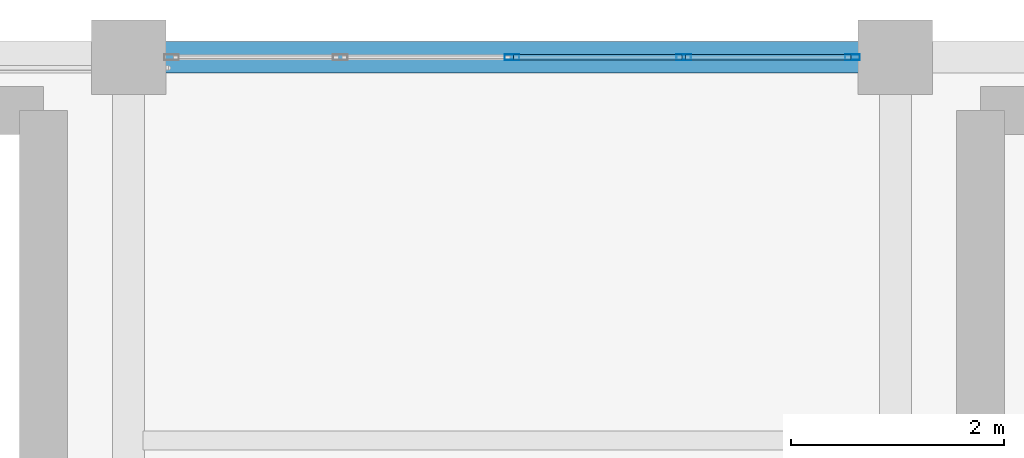
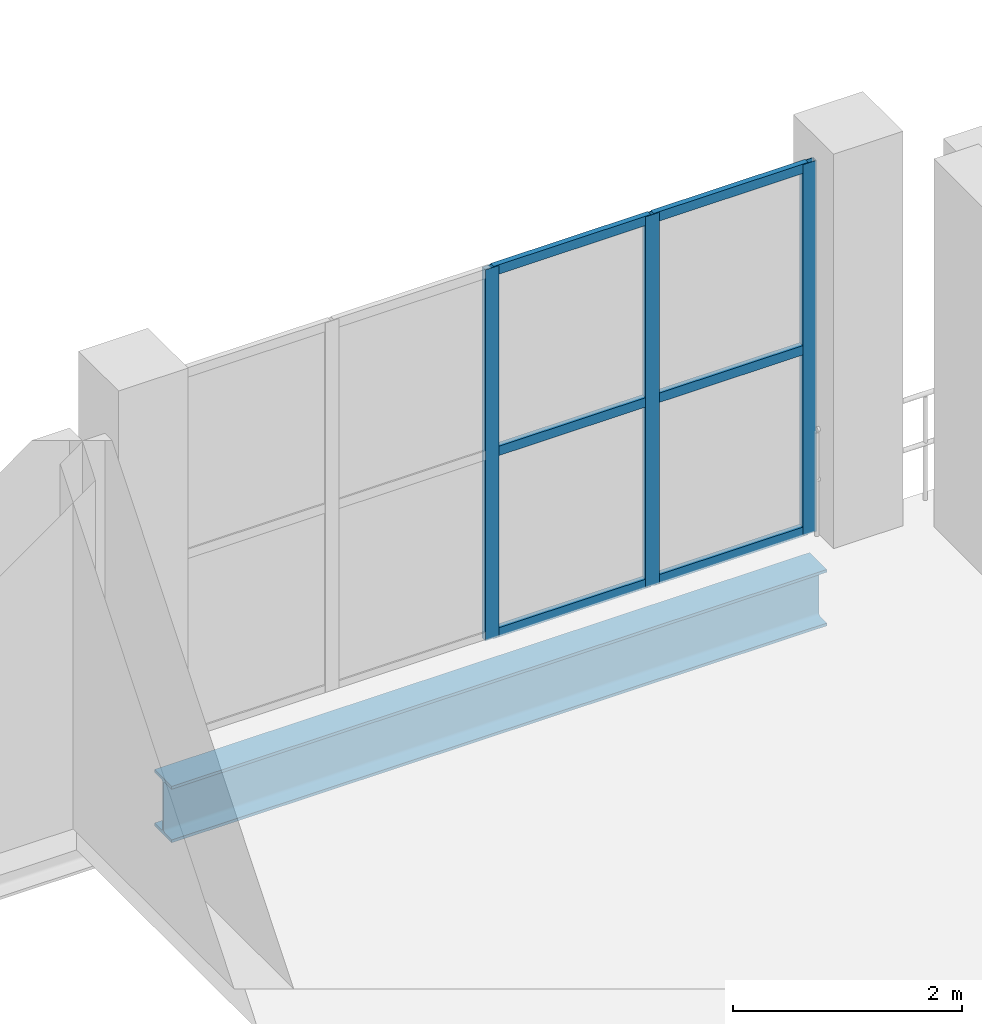
# One storey, part 116 of 153: 9 members, 1 beam, 1 element without a shape of its own.
"""IFC4 building model written with IfcOpenShell, lengths in metres."""

from ifc_helpers import new_model, si_unit, direction, frame, origin, origin_2d, place, context, subcontext, project, spatial, hollow_rectangle, i_section, extrude, material, material_profile, profile_set, type_object, element, aggregate, save


model = new_model("IFC4")

# Units and contexts
model_context = context("Model", 3, precision=1e-05, world=origin(), true_north=direction((0.0, 1.0)))
body_context = subcontext(model_context, "Body", "Model", "MODEL_VIEW")
ifc_project = project(units=[si_unit("LENGTHUNIT", "METRE"), si_unit("AREAUNIT", "SQUARE_METRE"), si_unit("VOLUMEUNIT", "CUBIC_METRE"), si_unit("PLANEANGLEUNIT", "RADIAN"), si_unit("MASSUNIT", "GRAM", prefix="KILO")], contexts=[model_context])

# Site, building, storey
site_placement = place(None, origin())
site = spatial("IfcSite", under=ifc_project, at=site_placement, CompositionType="ELEMENT")
building_placement = place(site_placement, origin())
building = spatial("IfcBuilding", under=site, at=building_placement, Name="Qandorah Velis Arena", CompositionType="ELEMENT")
storey_placement = place(building_placement, frame((0.0, 0.0, 5.39990234375)))
storey = spatial("IfcBuildingStorey", under=building, at=storey_placement, Name="L01", CompositionType="ELEMENT", Elevation=5.39990234375)

# Curtain wall, members
ifc_material_1 = material(Name="Solar-control low-E double glazing", Category="glass")
curtain_wall_type = type_object("IfcCurtainWallType", Name="ARC-CW-SYS12", PredefinedType="USERDEFINED", material=ifc_material_1)
curtain_wall_placement = place(storey_placement, origin())
curtain_wall = element("IfcCurtainWall", 1, at=curtain_wall_placement, inside=storey, type_object=curtain_wall_type, Name="Unitised curtain wall L01-084", ObjectType="UNITISED CURTAIN WALL", PredefinedType="USERDEFINED")
ifc_material_2 = material(Name="Champagne-bronze anodized aluminium 6063-T6", Category="aluminium")
ifc_material_profile_1 = material_profile(ifc_material_2, hollow_rectangle(XDim=0.054931640625, YDim=0.139892578125, WallThickness=0.0029296875, at=origin_2d()), Name="ALU MULLION 55x140")
ifc_profile_set_1 = profile_set([ifc_material_profile_1], Name="Champagne-bronze anodized aluminium 6063-T6")
member_type_1 = type_object("IfcMemberType", Name="ARC-CWM-140", PredefinedType="MULLION", material=ifc_profile_set_1)
member_1_placement = place(storey_placement, frame((90.0, 129.60009765625, -0.014892578125), z_axis=(0.0, 0.0, 1.0), x_axis=(0.0, 1.0, 0.0)))
member_1 = element("IfcMember", 2, at=member_1_placement, type_object=member_type_1, Name="CW12 mullion 3", PredefinedType="MULLION", context=body_context, shape_type="SweptSolid", body=[
    extrude(hollow_rectangle(XDim=0.054931640625, YDim=0.139892578125, WallThickness=0.0029296875, at=origin_2d()), origin(), (0.0, 0.0, 1.0), 3.949951171875),
])
member_2_placement = place(storey_placement, frame((91.612548828125, 129.60009765625, -0.014892578125), z_axis=(0.0, 0.0, 1.0), x_axis=(0.0, 1.0, 0.0)))
member_2 = element("IfcMember", 3, at=member_2_placement, type_object=member_type_1, Name="CW12 mullion 4", PredefinedType="MULLION", context=body_context, shape_type="SweptSolid", body=[
    extrude(hollow_rectangle(XDim=0.054931640625, YDim=0.139892578125, WallThickness=0.0029296875, at=origin_2d()), origin(), (0.0, 0.0, 1.0), 3.949951171875),
])
member_3_placement = place(storey_placement, frame((93.197509765625, 129.60009765625, -0.014892578125), z_axis=(0.0, 0.0, 1.0), x_axis=(0.0, 1.0, 0.0)))
member_3 = element("IfcMember", 4, at=member_3_placement, type_object=member_type_1, Name="CW12 mullion 5", PredefinedType="MULLION", context=body_context, shape_type="SweptSolid", body=[
    extrude(hollow_rectangle(XDim=0.054931640625, YDim=0.139892578125, WallThickness=0.0029296875, at=origin_2d()), origin(), (0.0, 0.0, 1.0), 3.949951171875),
])
ifc_material_profile_2 = material_profile(ifc_material_2, hollow_rectangle(XDim=0.054931640625, YDim=0.10009765625, WallThickness=0.0029296875, at=origin_2d()), Name="ALU TRANSOM 55x100")
ifc_profile_set_2 = profile_set([ifc_material_profile_2], Name="Champagne-bronze anodized aluminium 6063-T6")
member_type_2 = type_object("IfcMemberType", Name="ARC-CWT-100", PredefinedType="USERDEFINED", material=ifc_profile_set_2)
member_4_placement = place(storey_placement, frame((90.015380859375, 129.60009765625, 0.027587890625), z_axis=(1.0, 0.0, 0.0), x_axis=(0.0, 1.0, 0.0)))
member_4 = element("IfcMember", 5, at=member_4_placement, type_object=member_type_2, Name="CW12 transom 3.1", ObjectType="TRANSOM", PredefinedType="USERDEFINED", context=body_context, shape_type="SweptSolid", body=[
    extrude(hollow_rectangle(XDim=0.054931640625, YDim=0.10009765625, WallThickness=0.0029296875, at=origin_2d()), origin(), (0.0, 0.0, 1.0), 1.58154296875),
])
member_5_placement = place(storey_placement, frame((90.015380859375, 129.60009765625, 1.960205078125), z_axis=(1.0, 0.0, 0.0), x_axis=(0.0, 1.0, 0.0)))
member_5 = element("IfcMember", 6, at=member_5_placement, type_object=member_type_2, Name="CW12 transom 3.2", ObjectType="TRANSOM", PredefinedType="USERDEFINED", context=body_context, shape_type="SweptSolid", body=[
    extrude(hollow_rectangle(XDim=0.054931640625, YDim=0.10009765625, WallThickness=0.0029296875, at=origin_2d()), origin(), (0.0, 0.0, 1.0), 1.58154296875),
])
member_6_placement = place(storey_placement, frame((90.015380859375, 129.60009765625, 3.892578125), z_axis=(1.0, 0.0, 0.0), x_axis=(0.0, 1.0, 0.0)))
member_6 = element("IfcMember", 7, at=member_6_placement, type_object=member_type_2, Name="CW12 transom 3.3", ObjectType="TRANSOM", PredefinedType="USERDEFINED", context=body_context, shape_type="SweptSolid", body=[
    extrude(hollow_rectangle(XDim=0.054931640625, YDim=0.10009765625, WallThickness=0.0029296875, at=origin_2d()), origin(), (0.0, 0.0, 1.0), 1.58154296875),
])
member_7_placement = place(storey_placement, frame((91.6279296875, 129.60009765625, 0.027587890625), z_axis=(1.0, 0.0, 0.0), x_axis=(0.0, 1.0, 0.0)))
member_7 = element("IfcMember", 8, at=member_7_placement, type_object=member_type_2, Name="CW12 transom 4.1", ObjectType="TRANSOM", PredefinedType="USERDEFINED", context=body_context, shape_type="SweptSolid", body=[
    extrude(hollow_rectangle(XDim=0.054931640625, YDim=0.10009765625, WallThickness=0.0029296875, at=origin_2d()), origin(), (0.0, 0.0, 1.0), 1.553955078125),
])
member_8_placement = place(storey_placement, frame((91.6279296875, 129.60009765625, 1.960205078125), z_axis=(1.0, 0.0, 0.0), x_axis=(0.0, 1.0, 0.0)))
member_8 = element("IfcMember", 9, at=member_8_placement, type_object=member_type_2, Name="CW12 transom 4.2", ObjectType="TRANSOM", PredefinedType="USERDEFINED", context=body_context, shape_type="SweptSolid", body=[
    extrude(hollow_rectangle(XDim=0.054931640625, YDim=0.10009765625, WallThickness=0.0029296875, at=origin_2d()), origin(), (0.0, 0.0, 1.0), 1.553955078125),
])
member_9_placement = place(storey_placement, frame((91.6279296875, 129.60009765625, 3.892578125), z_axis=(1.0, 0.0, 0.0), x_axis=(0.0, 1.0, 0.0)))
member_9 = element("IfcMember", 10, at=member_9_placement, type_object=member_type_2, Name="CW12 transom 4.3", ObjectType="TRANSOM", PredefinedType="USERDEFINED", context=body_context, shape_type="SweptSolid", body=[
    extrude(hollow_rectangle(XDim=0.054931640625, YDim=0.10009765625, WallThickness=0.0029296875, at=origin_2d()), origin(), (0.0, 0.0, 1.0), 1.553955078125),
])
aggregate(curtain_wall, [member_1, member_2, member_3, member_4, member_5, member_6, member_7, member_8, member_9])

# Beam
ifc_material_3 = material(Name="Steel S355", Category="steel")
ifc_material_profile_3 = material_profile(ifc_material_3, i_section(OverallWidth=0.300048828125, OverallDepth=0.60009765625, WebThickness=0.015380859375, FlangeThickness=0.030029296875, FilletRadius=0.027099609375, at=origin_2d()), Name="HEB 600")
ifc_profile_set_3 = profile_set([ifc_material_profile_3], Name="Steel S355")
beam_type = type_object("IfcBeamType", Name="STR-BM-HEB600", PredefinedType="BEAM", material=ifc_profile_set_3)
beam_placement = place(storey_placement, frame((86.699951171875, 129.60009765625, -0.659912109375), z_axis=(1.0, 0.0, 0.0), x_axis=(0.0, 1.0, 0.0)))
element("IfcBeam", 11, at=beam_placement, inside=storey, type_object=beam_type, Name="Primary floor girder L01 X-216", PredefinedType="BEAM", context=body_context, shape_type="SweptSolid", body=[
    extrude(i_section(OverallWidth=0.300048828125, OverallDepth=0.60009765625, WebThickness=0.015380859375, FlangeThickness=0.030029296875, FilletRadius=0.027099609375, at=origin_2d()), origin(), (0.0, 0.0, 1.0), 6.60009765625),
])

save(model, "model.ifc")
